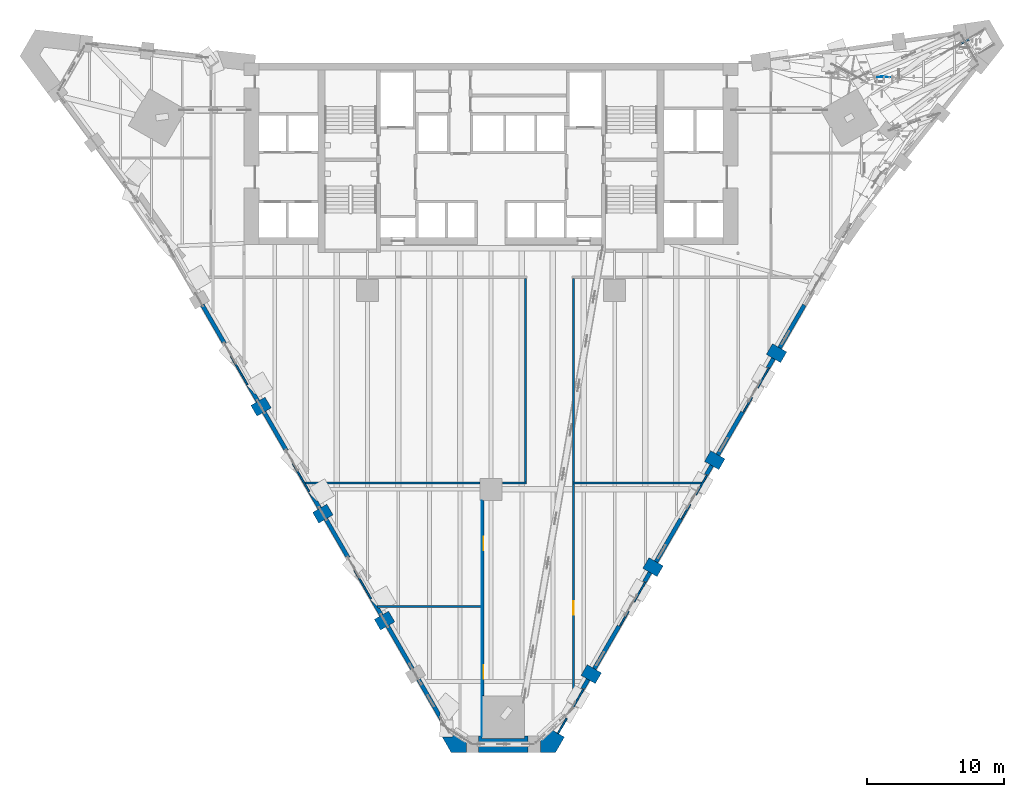
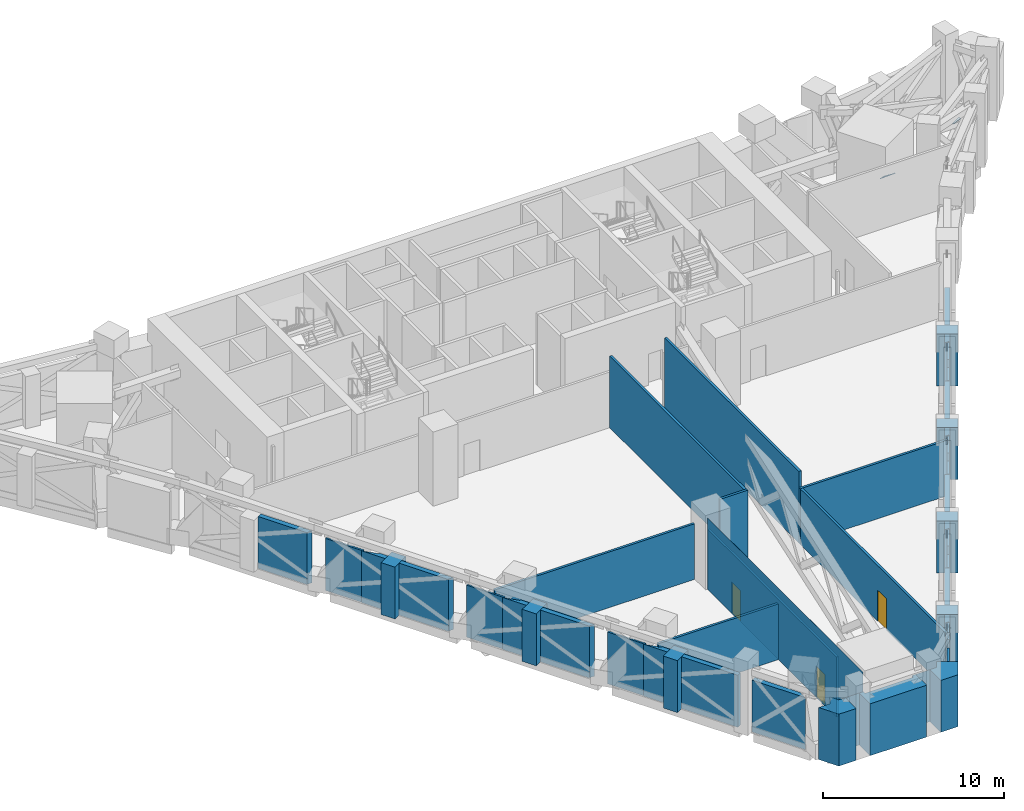
# One storey, part 9 of 22: 44 walls, 3 doors, 2 plates, 3 openings.
"""IFC4 building model written with IfcOpenShell, lengths in metres."""

from ifc_helpers import new_model, si_unit, direction, frame, frame_2d, origin, place, context, subcontext, project, spatial, polyline, rectangle, outline, extrude, material, layer, layer_set, type_object, element, fill, save


model = new_model("IFC4")

# Units and contexts
model_context = context("Model", 3, precision=1e-05, world=origin(), true_north=direction((0.0, 1.0)))
body_context = subcontext(model_context, "Body", "Model", "MODEL_VIEW")
ifc_project = project(units=[si_unit("LENGTHUNIT", "METRE"), si_unit("AREAUNIT", "SQUARE_METRE"), si_unit("VOLUMEUNIT", "CUBIC_METRE"), si_unit("PLANEANGLEUNIT", "RADIAN"), si_unit("MASSUNIT", "GRAM", prefix="KILO")], contexts=[model_context])

# Site, building, storey
site_placement = place(None, origin())
site = spatial("IfcSite", under=ifc_project, at=site_placement, CompositionType="ELEMENT")
building_placement = place(site_placement, origin())
building = spatial("IfcBuilding", under=site, at=building_placement, Name="Calabash Gate Tower", CompositionType="ELEMENT")
storey_placement = place(building_placement, frame((0.0, 0.0, 86.800048828125)))
storey = spatial("IfcBuildingStorey", under=building, at=storey_placement, Name="L18", CompositionType="ELEMENT", Elevation=86.800048828125)

# Plates
ifc_material_1 = material(Name="Dark tinted laminated glass", Category="glass")
ifc_layer_1 = layer(ifc_material_1, 0.030029296875)
ifc_layer_set_1 = layer_set([ifc_layer_1], Name="Dark glass soffit plate 30")
plate_type_1 = type_object("IfcPlateType", Name="Dark glass soffit plate 30", PredefinedType="SHEET", material=ifc_layer_set_1)
plate_1_placement = place(storey_placement, frame((29.073974609375, 18.010986328125, -1.02197265625), z_axis=(-0.036202942491, 0.107809541729, 0.993512178922), x_axis=(-0.999336747162, 0.0, -0.036415185998)))
element("IfcPlate", 1, at=plate_1_placement, inside=storey, type_object=plate_type_1, Name="Dark glass soffit SOF-Z2-NE-60", PredefinedType="SHEET", context=body_context, shape_type="SweptSolid", body=[
    extrude(outline(polyline([(0.0, 0.0), (0.938720703125, 0.0), (0.66162109375, -0.1025390625), (0.0, 0.0)])), origin(), (0.0, 0.0, -1.0), 0.030029296875),
])
ifc_material_2 = material(Name="Dark bronze anodised aluminium panel", Category="aluminium")
ifc_layer_2 = layer(ifc_material_2, 0.030029296875)
ifc_layer_set_2 = layer_set([ifc_layer_2], Name="Dark soffit panel plate 30")
plate_type_2 = type_object("IfcPlateType", Name="Dark soffit panel plate 30", PredefinedType="SHEET", material=ifc_layer_set_2)
plate_2_placement = place(storey_placement, frame((34.779052734375, 20.846923828125, -0.985107421875), z_axis=(0.020587126393, 0.014720228237, 0.999679691255), x_axis=(0.447148298511, -0.894451060351, 0.003962294375)))
element("IfcPlate", 2, at=plate_2_placement, inside=storey, type_object=plate_type_2, Name="Dark soffit panel SOF-Z2-NE-51", PredefinedType="SHEET", context=body_context, shape_type="SweptSolid", body=[
    extrude(outline(polyline([(0.0, 0.0), (0.145263671875, 0.0), (0.14306640625, -0.699951171875), (0.04248046875, -0.699951171875), (0.0, 0.0)])), origin(), (0.0, 0.0, -1.0), 0.030029296875),
])

# Walls
ifc_material_3 = material(Name="Terracotta brick masonry, exposed face", Category="masonry")
ifc_layer_3 = layer(ifc_material_3, 1.199951171875)
ifc_layer_set_3 = layer_set([ifc_layer_3], Name="Brick end wall 1200")
wall_type_1 = type_object("IfcWallType", Name="Brick end wall 1200", PredefinedType="SOLIDWALL", material=ifc_layer_set_3)
wall_1_placement = place(storey_placement, frame((-17.27880859375, -6.277099609375, 0.0), z_axis=(0.0, 0.0, 1.0), x_axis=(0.866094119867, 0.499880961361, 0.0)))
element("IfcWall", 3, at=wall_1_placement, inside=storey, type_object=wall_type_1, Name="Brick pier L18 SW0.3", PredefinedType="SOLIDWALL", context=body_context, shape_type="SweptSolid", body=[
    extrude(rectangle(XDim=1.199951171875, YDim=0.89990234375, at=frame_2d((0.60009765625, 0.0))), origin(), (0.0, 0.0, 1.0), 3.5),
])
for number, where, z_axis, x_axis, name in (
    (4, (-12.77880859375, -14.071533203125, 0.0), (0.0, 0.0, 1.0), (0.866006032174, 0.500033551112, 0.0), "Brick pier L18 SW0.5"),
    (5, (-7.239501953125, -21.265625, 0.0), (0.0, 0.0, 1.0), (-0.866006032174, -0.500033551112, 0.0), "Brick pier L18 SW0.7"),
):
    element("IfcWall", number, at=place(storey_placement, frame(where, z_axis=z_axis, x_axis=x_axis)), inside=storey, type_object=wall_type_1, Name=name, PredefinedType="SOLIDWALL", context=body_context, shape_type="SweptSolid", body=[
        extrude(rectangle(XDim=1.2001953125, YDim=0.89990234375, at=frame_2d((0.60009765625, 0.0))), origin(), (0.0, 0.0, 1.0), 3.5),
    ])
for number, where, z_axis, x_axis, name in (
    (6, (7.818603515625, -25.7626953125, 0.0), (0.0, 0.0, 1.0), (-0.866043267704, 0.499969057507, 0.0), "Brick pier L18 SE2.1"),
    (7, (11.279541015625, -17.36865234375, 0.0), (0.0, 0.0, 1.0), (0.866043267704, -0.499969057507, 0.0), "Brick pier L18 SE2.3"),
):
    element("IfcWall", number, at=place(storey_placement, frame(where, z_axis=z_axis, x_axis=x_axis)), inside=storey, type_object=wall_type_1, Name=name, PredefinedType="SOLIDWALL", context=body_context, shape_type="SweptSolid", body=[
        extrude(rectangle(XDim=1.19970703125, YDim=0.89990234375, at=frame_2d((0.599853515625, 0.0))), origin(), (0.0, 0.0, 1.0), 3.5),
    ])
for number, where, z_axis, x_axis, name in (
    (8, (16.818603515625, -10.17431640625, 0.0), (0.0, 0.0, 1.0), (-0.865955154139, 0.50012165622, 0.0), "Brick pier L18 SE2.5"),
    (9, (20.279541015625, -1.780029296875, 0.0), (0.0, 0.0, 1.0), (0.865955154139, -0.50012165622, 0.0), "Brick pier L18 SE2.7"),
):
    element("IfcWall", number, at=place(storey_placement, frame(where, z_axis=z_axis, x_axis=x_axis)), inside=storey, type_object=wall_type_1, Name=name, PredefinedType="SOLIDWALL", context=body_context, shape_type="SweptSolid", body=[
        extrude(rectangle(XDim=1.199951171875, YDim=0.89990234375, at=frame_2d((0.60009765625, 0.0))), origin(), (0.0, 0.0, 1.0), 3.5),
    ])
wall_2_placement = place(storey_placement, origin())
element("IfcWall", 10, at=wall_2_placement, inside=storey, type_object=wall_type_1, Name="Brick end wall L18 1", PredefinedType="SOLIDWALL", context=body_context, shape_type="SweptSolid", body=[
    extrude(outline(polyline([(-2.514404296875, -29.44970703125), (-2.81005859375, -30.06005859375), (-3.5478515625, -30.06005859375), (-2.904541015625, -31.173828125), (-1.802978515625, -31.173828125), (-1.802978515625, -29.97412109375), (-0.903076171875, -29.97412109375), (-0.903076171875, -31.173828125), (2.697021484375, -31.173828125), (2.697021484375, -29.97412109375), (3.596923828125, -29.97412109375), (3.596923828125, -31.173828125), (4.694580078125, -31.173828125), (5.34375, -30.049560546875), (4.304443359375, -29.44970703125), (4.001708984375, -29.973876953125), (2.447021484375, -29.973876953125), (2.447021484375, -30.14599609375), (-0.653076171875, -30.14599609375), (-0.653076171875, -29.973876953125), (-2.211669921875, -29.973876953125), (-2.514404296875, -29.44970703125)])), origin(), (0.0, 0.0, 1.0), 3.5),
])
ifc_material_4 = material(Name="Gypsum board on steel studs, mineral wool", Category="steel")
ifc_layer_4 = layer(ifc_material_4, 0.14990234375)
ifc_layer_set_4 = layer_set([ifc_layer_4], Name="Partition 150 gypsum board")
wall_type_2 = type_object("IfcWallType", Name="Partition 150 gypsum board", PredefinedType="PARTITIONING", material=ifc_layer_set_4)
wall_3_placement = place(storey_placement, frame((-0.674072265625, -29.993896484375, 0.0), z_axis=(0.0, 0.0, 1.0), x_axis=(0.0, 1.0, 0.0)))
element("IfcWall", 11, at=wall_3_placement, inside=storey, type_object=wall_type_2, Name="Partition", PredefinedType="PARTITIONING", context=body_context, shape_type="SweptSolid", body=[
    extrude(rectangle(XDim=17.173828125, YDim=0.001953125, at=frame_2d((8.5869140625, 0.0))), origin(), (0.0, 0.0, 1.0), 4.829833984375),
])

# Wall, opening, door
wall_4_placement = place(storey_placement, frame((6.0, -27.6728515625, 0.0), z_axis=(0.0, 0.0, 1.0), x_axis=(0.0, 1.0, 0.0)))
wall_4 = element("IfcWall", 12, at=wall_4_placement, inside=storey, type_object=wall_type_2, Name="Partition", PredefinedType="PARTITIONING", context=body_context, shape_type="SweptSolid", body=[
    extrude(rectangle(XDim=16.050537109375, YDim=0.14990234375, at=frame_2d((8.025390625, 0.0))), origin(), (0.0, 0.0, 1.0), 3.751953125),
])
opening_1_placement = place(wall_4_placement, frame((6.525390625, 0.0, 0.0)))
opening_1 = element("IfcOpeningElement", 13, at=opening_1_placement, cuts=wall_4, Name="Opening L18-026", PredefinedType="OPENING", context=body_context, shape_type="SweptSolid", body=[
    extrude(rectangle(XDim=1.0, YDim=2.10009765625, at=frame_2d((0.5, 1.050048828125))), frame((0.0, 0.0849609375, 0.0), z_axis=(0.0, -1.0, 0.0), x_axis=(1.0, 0.0, 0.0)), (0.0, 0.0, 1.0), 0.169921875),
])
ifc_material_5 = material(Name="Steel fire door set with fire-resisting glazing", Category="steel")
door_type = type_object("IfcDoorType", Name="Fire door D11 1000x2100 FD60", OperationType="NOTDEFINED", PredefinedType="DOOR", material=ifc_material_5)
door_1_placement = place(opening_1_placement, origin())
door_1 = element("IfcDoor", 14, at=door_1_placement, inside=storey, type_object=door_type, Name="Fire Pump Room door", OperationType="SINGLE_SWING_RIGHT", OverallHeight=2.10009765625, OverallWidth=1.0, PredefinedType="DOOR", context=body_context, shape_type="SweptSolid", body=[
    extrude(rectangle(XDim=1.0, YDim=2.10009765625, at=frame_2d((0.5, 1.050048828125))), frame((0.0, 0.02490234375, 0.0), z_axis=(0.0, -1.0, 0.0), x_axis=(1.0, 0.0, 0.0)), (0.0, 0.0, 1.0), 0.050048828125),
])
fill(opening_1, door_1)

# Wall, openings, doors
wall_5_placement = place(storey_placement, frame((-0.59619140625, -27.03125, 0.0), z_axis=(0.0, 0.0, 1.0), x_axis=(0.0, 1.0, 0.0)))
wall_5 = element("IfcWall", 15, at=wall_5_placement, inside=storey, type_object=wall_type_2, Name="Partition", PredefinedType="PARTITIONING", context=body_context, shape_type="SweptSolid", body=[
    extrude(rectangle(XDim=14.211181640625, YDim=0.14208984375, at=frame_2d((7.10546875, 0.0))), origin(), (0.0, 0.0, 1.0), 4.050048828125),
])
opening_2_placement = place(wall_5_placement, frame((10.583740234375, 0.0, 0.0)))
opening_2 = element("IfcOpeningElement", 16, at=opening_2_placement, cuts=wall_5, Name="Opening L18-023", PredefinedType="OPENING", context=body_context, shape_type="SweptSolid", body=[
    extrude(rectangle(XDim=1.0, YDim=2.10009765625, at=frame_2d((0.5, 1.050048828125))), frame((0.0, 0.0810546875, 0.0), z_axis=(0.0, -1.0, 0.0), x_axis=(1.0, 0.0, 0.0)), (0.0, 0.0, 1.0), 0.162109375),
])
opening_3_placement = place(wall_5_placement, frame((1.23388671875, 0.0, 0.0)))
opening_3 = element("IfcOpeningElement", 17, at=opening_3_placement, cuts=wall_5, Name="Opening L18-024", PredefinedType="OPENING", context=body_context, shape_type="SweptSolid", body=[
    extrude(rectangle(XDim=1.0, YDim=2.10009765625, at=frame_2d((0.5, 1.050048828125))), frame((0.0, 0.0810546875, 0.0), z_axis=(0.0, -1.0, 0.0), x_axis=(1.0, 0.0, 0.0)), (0.0, 0.0, 1.0), 0.162109375),
])
door_2_placement = place(opening_2_placement, origin())
door_2 = element("IfcDoor", 18, at=door_2_placement, inside=storey, type_object=door_type, Name="Chiller Plant Room door", OperationType="SINGLE_SWING_RIGHT", OverallHeight=2.10009765625, OverallWidth=1.0, PredefinedType="DOOR", context=body_context, shape_type="SweptSolid", body=[
    extrude(rectangle(XDim=1.0, YDim=2.10009765625, at=frame_2d((0.5, 1.050048828125))), frame((0.0, 0.02490234375, 0.0), z_axis=(0.0, -1.0, 0.0), x_axis=(1.0, 0.0, 0.0)), (0.0, 0.0, 1.0), 0.050048828125),
])
fill(opening_2, door_2)
door_3_placement = place(opening_3_placement, origin())
door_3 = element("IfcDoor", 19, at=door_3_placement, inside=storey, type_object=door_type, Name="Chiller Plant Room door", OperationType="SINGLE_SWING_RIGHT", OverallHeight=2.10009765625, OverallWidth=1.0, PredefinedType="DOOR", context=body_context, shape_type="SweptSolid", body=[
    extrude(rectangle(XDim=1.0, YDim=2.10009765625, at=frame_2d((0.5, 1.050048828125))), frame((0.0, 0.02490234375, 0.0), z_axis=(0.0, -1.0, 0.0), x_axis=(1.0, 0.0, 0.0)), (0.0, 0.0, 1.0), 0.050048828125),
])
fill(opening_3, door_3)

# Walls
wall_6_placement = place(storey_placement, frame((-8.31591796875, -20.54736328125, 0.0), z_axis=(0.0, 0.0, 1.0), x_axis=(1.0, 0.0, 0.0)))
element("IfcWall", 20, at=wall_6_placement, inside=storey, type_object=wall_type_2, Name="Partition", PredefinedType="PARTITIONING", context=body_context, shape_type="SweptSolid", body=[
    extrude(rectangle(XDim=7.640869140625, YDim=0.14990234375, at=frame_2d((3.8203125, 0.0))), origin(), (0.0, 0.0, 1.0), 3.751953125),
])
wall_7_placement = place(storey_placement, frame((-13.563232421875, -11.54736328125, 0.0), z_axis=(0.0, 0.0, 1.0), x_axis=(1.0, 0.0, 0.0)))
element("IfcWall", 21, at=wall_7_placement, inside=storey, type_object=wall_type_2, Name="Partition", PredefinedType="PARTITIONING", context=body_context, shape_type="SweptSolid", body=[
    extrude(rectangle(XDim=12.7431640625, YDim=0.14990234375, at=frame_2d((6.37158203125, 0.0))), origin(), (0.0, 0.0, 1.0), 3.751953125),
])
wall_8_placement = place(storey_placement, frame((0.820068359375, -11.54736328125, 0.0), z_axis=(0.0, 0.0, 1.0), x_axis=(1.0, 0.0, 0.0)))
element("IfcWall", 22, at=wall_8_placement, inside=storey, type_object=wall_type_2, Name="Partition", PredefinedType="PARTITIONING", context=body_context, shape_type="SweptSolid", body=[
    extrude(rectangle(XDim=1.7548828125, YDim=0.14990234375, at=frame_2d((0.87744140625, 0.0))), origin(), (0.0, 0.0, 1.0), 4.829833984375),
])
wall_9_placement = place(storey_placement, frame((5.925048828125, -11.54736328125, 0.0), z_axis=(0.0, 0.0, 1.0), x_axis=(1.0, 0.0, 0.0)))
element("IfcWall", 23, at=wall_9_placement, inside=storey, type_object=wall_type_2, Name="Partition", PredefinedType="PARTITIONING", context=body_context, shape_type="SweptSolid", body=[
    extrude(rectangle(XDim=9.427978515625, YDim=0.14990234375, at=frame_2d((4.7138671875, 0.0))), origin(), (0.0, 0.0, 1.0), 3.751953125),
])
for number, where, z_axis, x_axis, name in (
    (24, (2.5, -11.472412109375, 0.0), (0.0, 0.0, 1.0), (0.0, 1.0, 0.0), "Partition"),
    (25, (6.0, -11.472412109375, 0.0), (0.0, 0.0, 1.0), (0.0, 1.0, 0.0), "Partition"),
):
    element("IfcWall", number, at=place(storey_placement, frame(where, z_axis=z_axis, x_axis=x_axis)), inside=storey, type_object=wall_type_2, Name=name, PredefinedType="PARTITIONING", context=body_context, shape_type="SweptSolid", body=[
        extrude(rectangle(XDim=14.85009765625, YDim=0.14990234375, at=frame_2d((7.425048828125, 0.0))), origin(), (0.0, 0.0, 1.0), 4.829833984375),
    ])
ifc_material_6 = material(Name="Terracotta brick masonry, perforated", Category="masonry")
ifc_layer_5 = layer(ifc_material_6, 0.1201171875)
ifc_layer_set_5 = layer_set([ifc_layer_5], Name="Terracotta jaali cladding A 120")
wall_type_3 = type_object("IfcWallType", Name="Terracotta jaali cladding A 120", PredefinedType="SOLIDWALL", material=ifc_layer_set_5)
for number, where, z_axis, x_axis, name in (
    (26, (-17.751953125, -4.37744140625, 0.0), (0.0, 0.0, 1.0), (-0.500017192868, 0.86601547725, 0.0), "Jaali cladding L18 SW0.c2"),
    (27, (-13.251953125, -12.171630859375, 0.0), (0.0, 0.0, 1.0), (-0.500017192868, 0.86601547725, 0.0), "Jaali cladding L18 SW0.c3"),
    (28, (-8.751953125, -19.9658203125, 0.0), (0.0, 0.0, 1.0), (-0.500017192868, 0.86601547725, 0.0), "Jaali cladding L18 SW0.c4"),
):
    element("IfcWall", number, at=place(storey_placement, frame(where, z_axis=z_axis, x_axis=x_axis)), inside=storey, type_object=wall_type_3, Name=name, PredefinedType="SOLIDWALL", context=body_context, shape_type="SweptSolid", body=[
        extrude(rectangle(XDim=2.39013671875, YDim=0.1201171875, at=frame_2d((1.195068359375, 0.0))), origin(), (0.0, 0.0, 1.0), 3.5),
    ])
wall_10_placement = place(storey_placement, frame((5.510009765625, -28.681396484375, 0.0), z_axis=(0.0, 0.0, 1.0), x_axis=(-0.500005339912, -0.866022320763, 0.0)))
element("IfcWall", 29, at=wall_10_placement, inside=storey, type_object=wall_type_3, Name="Jaali cladding L18 SE2.c5", PredefinedType="SOLIDWALL", context=body_context, shape_type="SweptSolid", body=[
    extrude(rectangle(XDim=1.27001953125, YDim=0.1201171875, at=frame_2d((0.635009765625, 0.0))), origin(), (0.0, 0.0, 1.0), 3.5),
])
wall_11_placement = place(storey_placement, frame((5.9150390625, -27.97998046875, 0.0), z_axis=(0.0, 0.0, 1.0), x_axis=(0.499997335587, 0.866026942079, 0.0)))
element("IfcWall", 30, at=wall_11_placement, inside=storey, type_object=wall_type_3, Name="Jaali cladding L18 SE2.c6", PredefinedType="SOLIDWALL", context=body_context, shape_type="SweptSolid", body=[
    extrude(rectangle(XDim=1.64013671875, YDim=0.1201171875, at=frame_2d((0.820068359375, 0.0))), origin(), (0.0, 0.0, 1.0), 3.5),
])
wall_12_placement = place(storey_placement, frame((9.39013671875, -21.9609375, 0.0), z_axis=(0.0, 0.0, 1.0), x_axis=(0.499972458349, 0.86604130438, 0.0)))
element("IfcWall", 31, at=wall_12_placement, inside=storey, type_object=wall_type_3, Name="Jaali cladding L18 SE2.c7", PredefinedType="SOLIDWALL", context=body_context, shape_type="SweptSolid", body=[
    extrude(rectangle(XDim=1.23974609375, YDim=0.1201171875, at=frame_2d((0.619873046875, 0.0))), origin(), (0.0, 0.0, 1.0), 3.5),
])
wall_13_placement = place(storey_placement, frame((10.4150390625, -20.185546875, 0.0), z_axis=(0.0, 0.0, 1.0), x_axis=(0.500061797536, 0.86598972202, 0.0)))
element("IfcWall", 32, at=wall_13_placement, inside=storey, type_object=wall_type_3, Name="Jaali cladding L18 SE2.c8", PredefinedType="SOLIDWALL", context=body_context, shape_type="SweptSolid", body=[
    extrude(rectangle(XDim=1.639892578125, YDim=0.1201171875, at=frame_2d((0.81982421875, 0.0))), origin(), (0.0, 0.0, 1.0), 3.5),
])
wall_14_placement = place(storey_placement, frame((13.89013671875, -14.166748046875, 0.0), z_axis=(0.0, 0.0, 1.0), x_axis=(0.499972458349, 0.86604130438, 0.0)))
element("IfcWall", 33, at=wall_14_placement, inside=storey, type_object=wall_type_3, Name="Jaali cladding L18 SE2.c9", PredefinedType="SOLIDWALL", context=body_context, shape_type="SweptSolid", body=[
    extrude(rectangle(XDim=1.23974609375, YDim=0.1201171875, at=frame_2d((0.619873046875, 0.0))), origin(), (0.0, 0.0, 1.0), 3.5),
])
wall_15_placement = place(storey_placement, frame((14.9150390625, -12.391357421875, 0.0), z_axis=(0.0, 0.0, 1.0), x_axis=(0.500061797536, 0.86598972202, 0.0)))
element("IfcWall", 34, at=wall_15_placement, inside=storey, type_object=wall_type_3, Name="Jaali cladding L18 SE2.c10", PredefinedType="SOLIDWALL", context=body_context, shape_type="SweptSolid", body=[
    extrude(rectangle(XDim=1.639892578125, YDim=0.1201171875, at=frame_2d((0.81982421875, 0.0))), origin(), (0.0, 0.0, 1.0), 3.5),
])
wall_16_placement = place(storey_placement, frame((18.39013671875, -6.37255859375, 0.0), z_axis=(0.0, 0.0, 1.0), x_axis=(0.499887206002, 0.866090515637, 0.0)))
element("IfcWall", 35, at=wall_16_placement, inside=storey, type_object=wall_type_3, Name="Jaali cladding L18 SE2.c11", PredefinedType="SOLIDWALL", context=body_context, shape_type="SweptSolid", body=[
    extrude(rectangle(XDim=1.239990234375, YDim=0.1201171875, at=frame_2d((0.6201171875, 0.0))), origin(), (0.0, 0.0, 1.0), 3.5),
])
wall_17_placement = place(storey_placement, frame((19.4150390625, -4.59716796875, 0.0), z_axis=(0.0, 0.0, 1.0), x_axis=(0.500061797536, 0.86598972202, 0.0)))
element("IfcWall", 36, at=wall_17_placement, inside=storey, type_object=wall_type_3, Name="Jaali cladding L18 SE2.c12", PredefinedType="SOLIDWALL", context=body_context, shape_type="SweptSolid", body=[
    extrude(rectangle(XDim=1.639892578125, YDim=0.1201171875, at=frame_2d((0.81982421875, 0.0))), origin(), (0.0, 0.0, 1.0), 3.5),
])
ifc_material_7 = material(Name="Terracotta louvre blades in an aluminium frame", Category="masonry")
ifc_layer_6 = layer(ifc_material_7, 0.300048828125)
ifc_layer_set_6 = layer_set([ifc_layer_6], Name="Terracotta louvre wall 300")
wall_type_4 = type_object("IfcWallType", Name="Terracotta louvre wall 300", PredefinedType="ELEMENTEDWALL", material=ifc_layer_set_6)
wall_18_placement = place(storey_placement, origin())
element("IfcWall", 37, at=wall_18_placement, inside=storey, type_object=wall_type_4, Name="LOUVRE L18 SW0.2", PredefinedType="ELEMENTEDWALL", context=body_context, shape_type="SweptSolid", body=[
    extrude(outline(polyline([(-21.1640625, 1.352294921875), (-19.596923828125, -1.36181640625), (-19.596923828125, -1.3330078125), (-19.267333984375, -1.3330078125), (-20.904296875, 1.502197265625), (-21.1640625, 1.352294921875)])), origin(), (0.0, 0.0, 1.0), 3.5),
])
wall_19_placement = place(storey_placement, origin())
element("IfcWall", 38, at=wall_19_placement, inside=storey, type_object=wall_type_4, Name="LOUVRE L18 SW0.3", PredefinedType="ELEMENTEDWALL", context=body_context, shape_type="SweptSolid", body=[
    extrude(outline(polyline([(-16.854248046875, -5.512451171875), (-17.1103515625, -5.069091796875), (-17.19091796875, -5.069091796875), (-17.86962890625, -4.353515625), (-17.114013671875, -5.66259765625), (-16.854248046875, -5.512451171875)])), origin(), (0.0, 0.0, 1.0), 3.5),
])
wall_20_placement = place(storey_placement, origin())
element("IfcWall", 39, at=wall_20_placement, inside=storey, type_object=wall_type_4, Name="LOUVRE L18 SW0.4", PredefinedType="ELEMENTEDWALL", context=body_context, shape_type="SweptSolid", body=[
    extrude(outline(polyline([(-16.6640625, -6.44189453125), (-15.096923828125, -9.156005859375), (-15.096923828125, -9.12890625), (-14.76611328125, -9.12890625), (-16.404296875, -6.2919921875), (-16.6640625, -6.44189453125)])), origin(), (0.0, 0.0, 1.0), 3.5),
])
wall_21_placement = place(storey_placement, origin())
element("IfcWall", 40, at=wall_21_placement, inside=storey, type_object=wall_type_4, Name="LOUVRE L18 SW0.5", PredefinedType="ELEMENTEDWALL", context=body_context, shape_type="SweptSolid", body=[
    extrude(outline(polyline([(-12.354248046875, -13.306640625), (-12.6103515625, -12.863037109375), (-12.69091796875, -12.863037109375), (-13.369140625, -12.148681640625), (-12.614013671875, -13.456787109375), (-12.354248046875, -13.306640625)])), origin(), (0.0, 0.0, 1.0), 3.5),
])
wall_22_placement = place(storey_placement, origin())
element("IfcWall", 41, at=wall_22_placement, inside=storey, type_object=wall_type_4, Name="LOUVRE L18 SW0.6", PredefinedType="ELEMENTEDWALL", context=body_context, shape_type="SweptSolid", body=[
    extrude(outline(polyline([(-12.1640625, -14.236083984375), (-10.596923828125, -16.9501953125), (-10.596923828125, -16.924072265625), (-10.265869140625, -16.924072265625), (-11.904296875, -14.086181640625), (-12.1640625, -14.236083984375)])), origin(), (0.0, 0.0, 1.0), 3.5),
])
wall_23_placement = place(storey_placement, origin())
element("IfcWall", 42, at=wall_23_placement, inside=storey, type_object=wall_type_4, Name="LOUVRE L18 SW0.7", PredefinedType="ELEMENTEDWALL", context=body_context, shape_type="SweptSolid", body=[
    extrude(outline(polyline([(-7.854248046875, -21.100830078125), (-8.10986328125, -20.657958984375), (-8.19091796875, -20.657958984375), (-8.8681640625, -19.94482421875), (-8.114013671875, -21.2509765625), (-7.854248046875, -21.100830078125)])), origin(), (0.0, 0.0, 1.0), 3.5),
])
wall_24_placement = place(storey_placement, frame((-7.5341796875, -21.955322265625, 0.0), z_axis=(0.0, 0.0, 1.0), x_axis=(0.500012057535, -0.866018442252, 0.0)))
element("IfcWall", 43, at=wall_24_placement, inside=storey, type_object=wall_type_4, Name="LOUVRE L18 SW0.8", PredefinedType="ELEMENTEDWALL", context=body_context, shape_type="SweptSolid", body=[
    extrude(rectangle(XDim=3.60009765625, YDim=0.300048828125, at=frame_2d((1.800048828125, 0.0))), origin(), (0.0, 0.0, 1.0), 3.5),
])
wall_25_placement = place(storey_placement, origin())
element("IfcWall", 44, at=wall_25_placement, inside=storey, type_object=wall_type_4, Name="LOUVRE L18 SW0.9", PredefinedType="ELEMENTEDWALL", context=body_context, shape_type="SweptSolid", body=[
    extrude(outline(polyline([(-5.413818359375, -25.927734375), (-3.7099609375, -28.87890625), (-3.7099609375, -28.860107421875), (-3.703369140625, -28.29052734375), (-5.154052734375, -25.777587890625), (-5.413818359375, -25.927734375)])), origin(), (0.0, 0.0, 1.0), 3.5),
])
wall_26_placement = place(storey_placement, origin())
element("IfcWall", 45, at=wall_26_placement, inside=storey, type_object=wall_type_4, Name="LOUVRE L18 SE2.1", PredefinedType="ELEMENTEDWALL", context=body_context, shape_type="SweptSolid", body=[
    extrude(outline(polyline([(6.944091796875, -25.777587890625), (6.520751953125, -26.510986328125), (6.797119140625, -26.510986328125), (6.797119140625, -26.63232421875), (7.203857421875, -25.927490234375), (6.944091796875, -25.777587890625)])), origin(), (0.0, 0.0, 1.0), 3.5),
])
wall_27_placement = place(storey_placement, frame((7.524169921875, -25.072998046875, 0.0), z_axis=(0.0, 0.0, 1.0), x_axis=(0.499961193289, 0.866047807691, 0.0)))
element("IfcWall", 46, at=wall_27_placement, inside=storey, type_object=wall_type_4, Name="LOUVRE L18 SE2.2", PredefinedType="ELEMENTEDWALL", context=body_context, shape_type="SweptSolid", body=[
    extrude(rectangle(XDim=3.599853515625, YDim=0.300048828125, at=frame_2d((1.7998046875, 0.0))), origin(), (0.0, 0.0, 1.0), 3.5),
])
wall_28_placement = place(storey_placement, origin())
element("IfcWall", 47, at=wall_28_placement, inside=storey, type_object=wall_type_4, Name="LOUVRE L18 SE2.3", PredefinedType="ELEMENTEDWALL", context=body_context, shape_type="SweptSolid", body=[
    extrude(outline(polyline([(11.444091796875, -17.983154296875), (11.0205078125, -18.717041015625), (11.297119140625, -18.717041015625), (11.297119140625, -18.838134765625), (11.703857421875, -18.13330078125), (11.444091796875, -17.983154296875)])), origin(), (0.0, 0.0, 1.0), 3.5),
])
wall_29_placement = place(storey_placement, frame((12.024169921875, -17.27880859375, 0.0), z_axis=(0.0, 0.0, 1.0), x_axis=(0.499961193289, 0.866047807691, 0.0)))
element("IfcWall", 48, at=wall_29_placement, inside=storey, type_object=wall_type_4, Name="LOUVRE L18 SE2.4", PredefinedType="ELEMENTEDWALL", context=body_context, shape_type="SweptSolid", body=[
    extrude(rectangle(XDim=3.599853515625, YDim=0.300048828125, at=frame_2d((1.7998046875, 0.0))), origin(), (0.0, 0.0, 1.0), 3.5),
])
wall_30_placement = place(storey_placement, origin())
element("IfcWall", 49, at=wall_30_placement, inside=storey, type_object=wall_type_4, Name="LOUVRE L18 SE2.5", PredefinedType="ELEMENTEDWALL", context=body_context, shape_type="SweptSolid", body=[
    extrude(outline(polyline([(15.944091796875, -10.18896484375), (15.5205078125, -10.923095703125), (15.797119140625, -10.923095703125), (15.797119140625, -11.0439453125), (16.203857421875, -10.339111328125), (15.944091796875, -10.18896484375)])), origin(), (0.0, 0.0, 1.0), 3.5),
])
wall_31_placement = place(storey_placement, frame((16.524169921875, -9.484619140625, 0.0), z_axis=(0.0, 0.0, 1.0), x_axis=(0.499961193289, 0.866047807691, 0.0)))
element("IfcWall", 50, at=wall_31_placement, inside=storey, type_object=wall_type_4, Name="LOUVRE L18 SE2.6", PredefinedType="ELEMENTEDWALL", context=body_context, shape_type="SweptSolid", body=[
    extrude(rectangle(XDim=3.599853515625, YDim=0.300048828125, at=frame_2d((1.7998046875, 0.0))), origin(), (0.0, 0.0, 1.0), 3.5),
])
wall_32_placement = place(storey_placement, origin())
element("IfcWall", 51, at=wall_32_placement, inside=storey, type_object=wall_type_4, Name="LOUVRE L18 SE2.7", PredefinedType="ELEMENTEDWALL", context=body_context, shape_type="SweptSolid", body=[
    extrude(outline(polyline([(20.444091796875, -2.394775390625), (20.020751953125, -3.1279296875), (20.297119140625, -3.1279296875), (20.297119140625, -3.249755859375), (20.703857421875, -2.544677734375), (20.444091796875, -2.394775390625)])), origin(), (0.0, 0.0, 1.0), 3.5),
])
wall_33_placement = place(storey_placement, frame((21.024169921875, -1.6904296875, 0.0), z_axis=(0.0, 0.0, 1.0), x_axis=(0.499961193289, 0.866047807691, 0.0)))
element("IfcWall", 52, at=wall_33_placement, inside=storey, type_object=wall_type_4, Name="LOUVRE L18 SE2.8", PredefinedType="ELEMENTEDWALL", context=body_context, shape_type="SweptSolid", body=[
    extrude(rectangle(XDim=3.599853515625, YDim=0.300048828125, at=frame_2d((1.7998046875, 0.0))), origin(), (0.0, 0.0, 1.0), 3.5),
])

save(model, "model.ifc")
